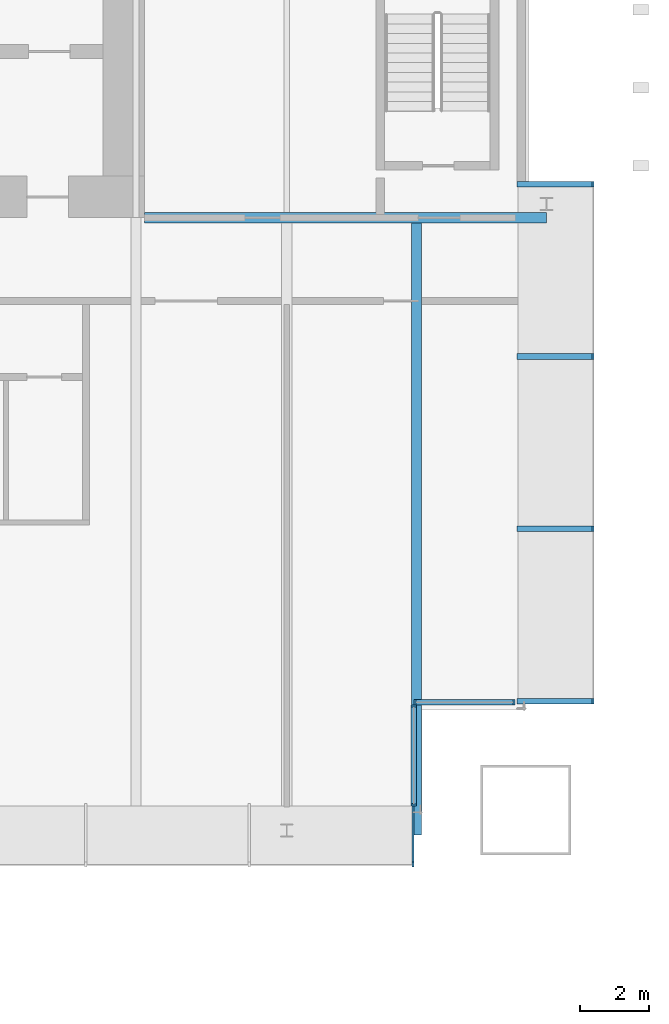
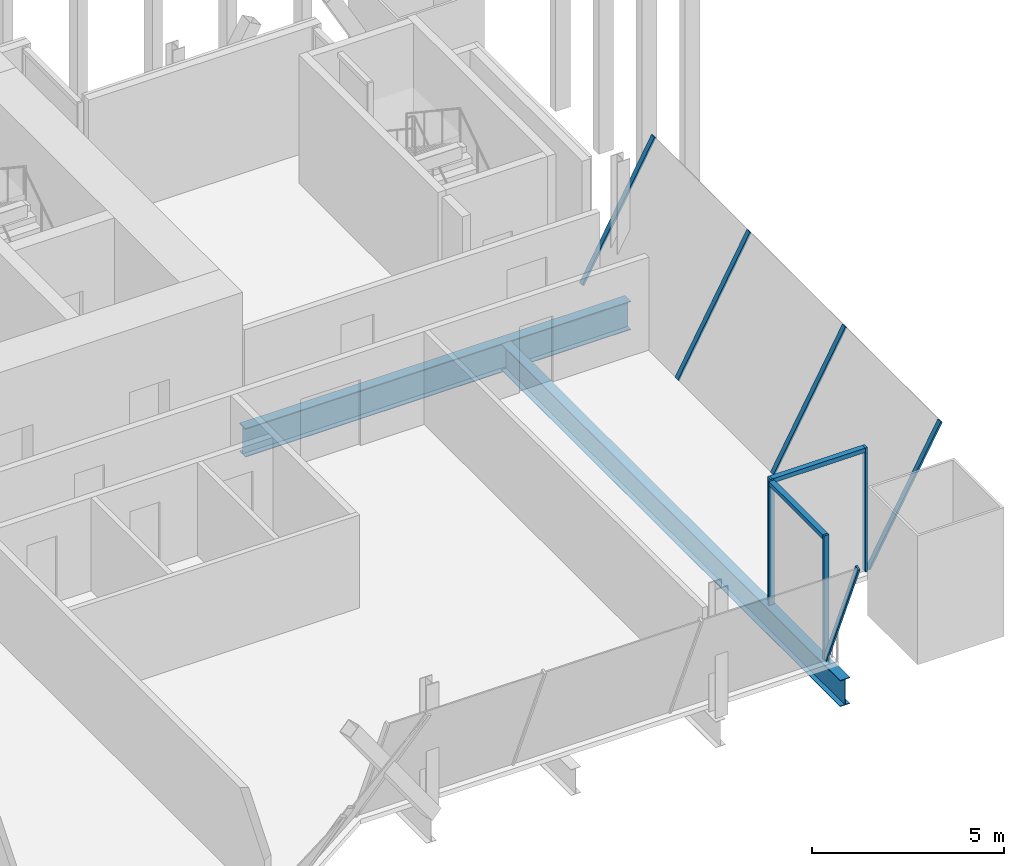
# One storey, part 19 of 29: 11 members, 2 beams, 4 elements without a shape of their own.
"""IFC4 building model written with IfcOpenShell, lengths in metres."""

from ifc_helpers import new_model, si_unit, direction, frame, origin, origin_2d, place, context, subcontext, project, spatial, rectangle, i_section, extrude, material, material_profile, profile_set, type_object, element, aggregate, save


model = new_model("IFC4")

# Units and contexts
model_context = context("Model", 3, precision=1e-05, world=origin(), true_north=direction((0.0, 1.0)))
body_context = subcontext(model_context, "Body", "Model", "MODEL_VIEW")
ifc_project = project(units=[si_unit("LENGTHUNIT", "METRE"), si_unit("AREAUNIT", "SQUARE_METRE"), si_unit("VOLUMEUNIT", "CUBIC_METRE"), si_unit("PLANEANGLEUNIT", "RADIAN"), si_unit("MASSUNIT", "GRAM", prefix="KILO")], contexts=[model_context])

# Site, building, storey
site_placement = place(None, origin())
site = spatial("IfcSite", under=ifc_project, at=site_placement, CompositionType="ELEMENT")
building_placement = place(site_placement, origin())
building = spatial("IfcBuilding", under=site, at=building_placement, Name="Bicima Exchange Tower", CompositionType="ELEMENT")
storey_placement = place(building_placement, frame((0.0, 0.0, 190.89990234375)))
storey = spatial("IfcBuildingStorey", under=building, at=storey_placement, Name="L42", CompositionType="ELEMENT", Elevation=190.89990234375)

# Beams
ifc_material_1 = material(Name="Steel ASTM A992 Gr 50", Category="steel")
ifc_material_profile_1 = material_profile(ifc_material_1, i_section(OverallWidth=0.3046875, OverallDepth=0.911865234375, WebThickness=0.015869140625, FlangeThickness=0.02392578125, at=origin_2d()))
ifc_profile_set_1 = profile_set([ifc_material_profile_1], Name="Steel ASTM A992 Gr 50")
beam_type_1 = type_object("IfcBeamType", Name="Core-line girder W36x150", PredefinedType="BEAM", material=ifc_profile_set_1)
beam_1_placement = place(storey_placement, frame((22.0, -13.0, -0.605712890625), z_axis=(1.0, 0.0, 0.0), x_axis=(0.0, 1.0, 0.0)))
element("IfcBeam", 1, at=beam_1_placement, inside=storey, type_object=beam_type_1, Name="Core-line girder", PredefinedType="BEAM", context=body_context, shape_type="SweptSolid", body=[
    extrude(i_section(OverallWidth=0.3046875, OverallDepth=0.911865234375, WebThickness=0.015869140625, FlangeThickness=0.02392578125, at=origin_2d()), origin(), (0.0, 0.0, 1.0), 11.60009765625),
])
ifc_material_profile_2 = material_profile(ifc_material_1, i_section(OverallWidth=0.2919921875, OverallDepth=0.835693359375, WebThickness=0.013916015625, FlangeThickness=0.018798828125, at=origin_2d()))
ifc_profile_set_2 = profile_set([ifc_material_profile_2], Name="Steel ASTM A992 Gr 50")
beam_type_2 = type_object("IfcBeamType", Name="Floor beam W33x118", PredefinedType="JOIST", material=ifc_profile_set_2)
beam_2_placement = place(storey_placement, frame((29.85009765625, -13.15234375, -0.567626953125), z_axis=(0.0, -1.0, 0.0), x_axis=(1.0, 0.0, 0.0)))
element("IfcBeam", 2, at=beam_2_placement, inside=storey, type_object=beam_type_2, Name="Floor beam", PredefinedType="JOIST", context=body_context, shape_type="SweptSolid", body=[
    extrude(i_section(OverallWidth=0.2919921875, OverallDepth=0.835693359375, WebThickness=0.013916015625, FlangeThickness=0.018798828125, at=origin_2d()), origin(), (0.0, 0.0, 1.0), 17.66357421875),
])

# Curtain wall, members
ifc_material_2 = material(Name="Anodised bronze aluminium", Category="aluminium")
curtain_wall_type = type_object("IfcCurtainWallType", Name="Front glass wall", PredefinedType="NOTDEFINED", material=ifc_material_2)
curtain_wall_1_placement = place(storey_placement, origin())
curtain_wall_1 = element("IfcCurtainWall", 3, at=curtain_wall_1_placement, inside=storey, type_object=curtain_wall_type, Name="Front glass wall L42 run 21", PredefinedType="NOTDEFINED")
ifc_material_profile_3 = material_profile(ifc_material_2, rectangle(XDim=0.159912109375, YDim=0.06005859375, at=origin_2d()))
ifc_profile_set_3 = profile_set([ifc_material_profile_3], Name="Anodised bronze aluminium")
member_type_1 = type_object("IfcMemberType", Name="Front glass wall mullion 60 x 160", PredefinedType="MULLION", material=ifc_profile_set_3)
member_1_placement = place(storey_placement, frame((29.77001953125, -29.9560546875, 0.0), z_axis=(0.0, 0.0, 1.0), x_axis=(-1.0, 0.0, 0.0)))
member_1 = element("IfcMember", 4, at=member_1_placement, type_object=member_type_1, Name="Front glass wall mullion 1", PredefinedType="MULLION", context=body_context, shape_type="SweptSolid", body=[
    extrude(rectangle(XDim=0.159912109375, YDim=0.06005859375, at=origin_2d()), origin(), (0.0, 0.0, 1.0), 3.9501953125),
])
member_2_placement = place(storey_placement, frame((29.77001953125, -27.095947265625, 0.0), z_axis=(0.0, 0.0, 1.0), x_axis=(-1.0, 0.0, 0.0)))
member_2 = element("IfcMember", 5, at=member_2_placement, type_object=member_type_1, Name="Front glass wall mullion 2", PredefinedType="MULLION", context=body_context, shape_type="SweptSolid", body=[
    extrude(rectangle(XDim=0.159912109375, YDim=0.06005859375, at=origin_2d()), origin(), (0.0, 0.0, 1.0), 3.9501953125),
])

curtain_wall_2_placement = place(storey_placement, origin())
curtain_wall_2 = element("IfcCurtainWall", 6, at=curtain_wall_2_placement, inside=storey, type_object=curtain_wall_type, Name="Front glass wall L42 run 22", PredefinedType="NOTDEFINED")
member_3_placement = place(storey_placement, frame((29.800048828125, -26.986083984375, 0.0), z_axis=(0.0, 0.0, 1.0), x_axis=(0.0, 1.0, 0.0)))
member_3 = element("IfcMember", 7, at=member_3_placement, type_object=member_type_1, Name="Front glass wall mullion 1", PredefinedType="MULLION", context=body_context, shape_type="SweptSolid", body=[
    extrude(rectangle(XDim=0.159912109375, YDim=0.06005859375, at=origin_2d()), origin(), (0.0, 0.0, 1.0), 3.9501953125),
])
member_4_placement = place(storey_placement, frame((32.659912109375, -26.986083984375, 0.0), z_axis=(0.0, 0.0, 1.0), x_axis=(0.0, 1.0, 0.0)))
member_4 = element("IfcMember", 8, at=member_4_placement, type_object=member_type_1, Name="Front glass wall mullion 2", PredefinedType="MULLION", context=body_context, shape_type="SweptSolid", body=[
    extrude(rectangle(XDim=0.159912109375, YDim=0.06005859375, at=origin_2d()), origin(), (0.0, 0.0, 1.0), 3.9501953125),
])

curtain_wall_3_placement = place(storey_placement, origin())
curtain_wall_3 = element("IfcCurtainWall", 9, at=curtain_wall_3_placement, inside=storey, type_object=curtain_wall_type, Name="Canted glass wall L42 1.1", PredefinedType="NOTDEFINED")
member_5_placement = place(storey_placement, frame((32.77001953125, -26.9560546875, 0.0), z_axis=(0.481086555324, 0.0, 0.876673101154), x_axis=(0.0, -1.0, 0.0)))
member_5 = element("IfcMember", 10, at=member_5_placement, type_object=member_type_1, Name="Canted glass mullion 1", PredefinedType="MULLION", context=body_context, shape_type="SweptSolid", body=[
    extrude(rectangle(XDim=0.159912109375, YDim=0.06005859375, at=origin_2d()), origin(), (0.0, 0.0, 1.0), 4.505859375),
])
member_6_placement = place(storey_placement, frame((32.77001953125, -21.980712890625, 0.0), z_axis=(0.481086555324, 0.0, 0.876673101154), x_axis=(0.0, -1.0, 0.0)))
member_6 = element("IfcMember", 11, at=member_6_placement, type_object=member_type_1, Name="Canted glass mullion 2", PredefinedType="MULLION", context=body_context, shape_type="SweptSolid", body=[
    extrude(rectangle(XDim=0.159912109375, YDim=0.06005859375, at=origin_2d()), origin(), (0.0, 0.0, 1.0), 4.505859375),
])
member_7_placement = place(storey_placement, frame((32.77001953125, -17.00537109375, 0.0), z_axis=(0.481086555324, 0.0, 0.876673101154), x_axis=(0.0, -1.0, 0.0)))
member_7 = element("IfcMember", 12, at=member_7_placement, type_object=member_type_1, Name="Canted glass mullion 3", PredefinedType="MULLION", context=body_context, shape_type="SweptSolid", body=[
    extrude(rectangle(XDim=0.159912109375, YDim=0.06005859375, at=origin_2d()), origin(), (0.0, 0.0, 1.0), 4.505859375),
])
member_8_placement = place(storey_placement, frame((32.77001953125, -12.030029296875, 0.0), z_axis=(0.481086555324, 0.0, 0.876673101154), x_axis=(0.0, -1.0, 0.0)))
member_8 = element("IfcMember", 13, at=member_8_placement, type_object=member_type_1, Name="Canted glass mullion 4", PredefinedType="MULLION", context=body_context, shape_type="SweptSolid", body=[
    extrude(rectangle(XDim=0.159912109375, YDim=0.06005859375, at=origin_2d()), origin(), (0.0, 0.0, 1.0), 4.505859375),
])
aggregate(curtain_wall_3, [member_5, member_6, member_7, member_8])

# Curtain wall, member
curtain_wall_4_placement = place(storey_placement, origin())
curtain_wall_4 = element("IfcCurtainWall", 14, at=curtain_wall_4_placement, inside=storey, type_object=curtain_wall_type, Name="Canted glass wall L42 54.1", PredefinedType="NOTDEFINED")
member_9_placement = place(storey_placement, frame((29.739990234375, -29.986083984375, 0.0), z_axis=(0.0, -0.392560507207, 0.91972618109), x_axis=(0.0, 0.91972618109, 0.392560507207)))
member_9 = element("IfcMember", 15, at=member_9_placement, type_object=member_type_1, Name="Canted glass mullion 4", PredefinedType="MULLION", context=body_context, shape_type="SweptSolid", body=[
    extrude(rectangle(XDim=0.159912109375, YDim=0.06005859375, at=origin_2d()), origin(), (0.0, 0.0, 1.0), 4.294921875),
])
aggregate(curtain_wall_4, [member_9])

# Member
ifc_material_profile_4 = material_profile(ifc_material_2, rectangle(XDim=0.159912109375, YDim=0.139892578125, at=origin_2d()))
ifc_profile_set_4 = profile_set([ifc_material_profile_4], Name="Anodised bronze aluminium")
member_type_2 = type_object("IfcMemberType", Name="Front glass wall transom 140 x 160", PredefinedType="USERDEFINED", material=ifc_profile_set_4)
member_10_placement = place(storey_placement, frame((29.77001953125, -29.926025390625, 3.880126953125), z_axis=(0.0, 1.0, 0.0), x_axis=(-1.0, 0.0, 0.0)))
member_10 = element("IfcMember", 16, at=member_10_placement, type_object=member_type_2, Name="Front glass wall transom 1.1", ObjectType="TRANSOM", PredefinedType="USERDEFINED", context=body_context, shape_type="SweptSolid", body=[
    extrude(rectangle(XDim=0.159912109375, YDim=0.139892578125, at=origin_2d()), origin(), (0.0, 0.0, 1.0), 2.800048828125),
])

aggregate(curtain_wall_1, [member_1, member_2, member_10])

member_11_placement = place(storey_placement, frame((29.830078125, -26.986083984375, 3.880126953125), z_axis=(1.0, 0.0, 0.0), x_axis=(0.0, 1.0, 0.0)))
member_11 = element("IfcMember", 17, at=member_11_placement, type_object=member_type_2, Name="Front glass wall transom 1.1", ObjectType="TRANSOM", PredefinedType="USERDEFINED", context=body_context, shape_type="SweptSolid", body=[
    extrude(rectangle(XDim=0.159912109375, YDim=0.139892578125, at=origin_2d()), origin(), (0.0, 0.0, 1.0), 2.7998046875),
])

aggregate(curtain_wall_2, [member_3, member_4, member_11])

save(model, "model.ifc")
